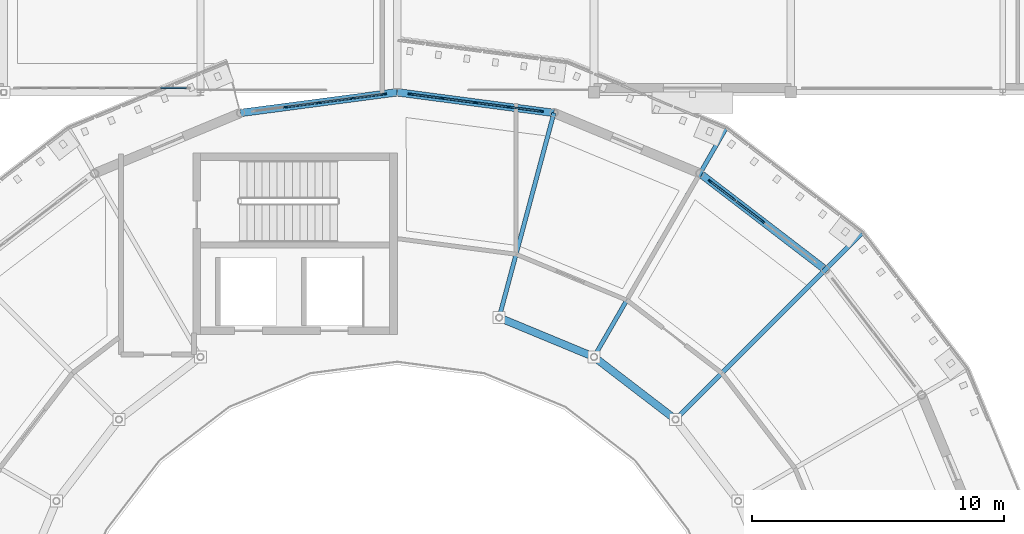
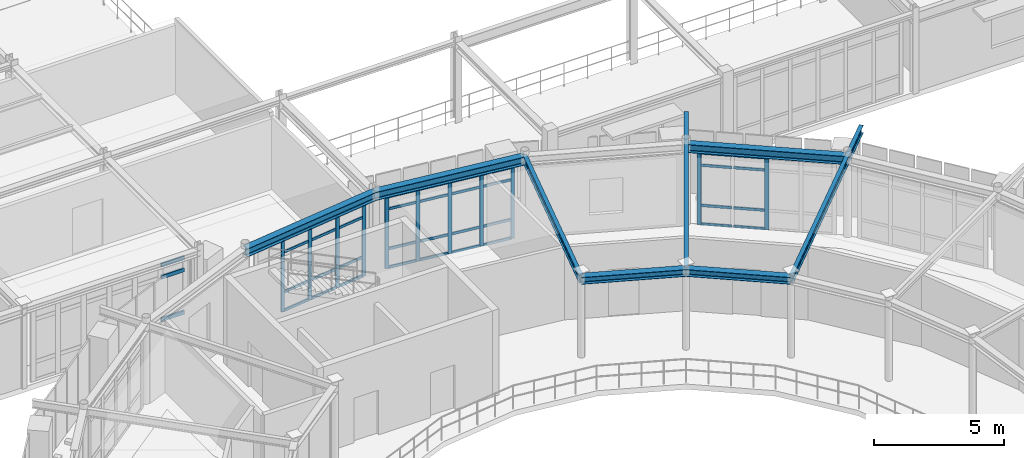
# One storey, part 34 of 70: 50 members, 8 beams, 4 elements without a shape of their own.
"""IFC4 building model written with IfcOpenShell, lengths in metres."""

from ifc_helpers import new_model, si_unit, derived_unit, direction, frame, origin, origin_2d, place, context, subcontext, project, spatial, rectangle, i_section, extrude, material, layer, layer_set, material_profile, profile_set, type_object, element, aggregate, save


model = new_model("IFC4")

# Units and contexts
model_context = context("Model", 3, precision=1e-05, world=origin(), true_north=direction((0.0, 1.0)))
body_context = subcontext(model_context, "Body", "Model", "MODEL_VIEW")
ifc_project = project(units=[si_unit("LENGTHUNIT", "METRE"), si_unit("AREAUNIT", "SQUARE_METRE"), si_unit("VOLUMEUNIT", "CUBIC_METRE"), si_unit("PLANEANGLEUNIT", "RADIAN"), si_unit("MASSUNIT", "GRAM", prefix="KILO"), derived_unit("THERMALTRANSMITTANCEUNIT", [(si_unit("POWERUNIT", "WATT"), 1), (si_unit("AREAUNIT", "SQUARE_METRE"), -1), (si_unit("THERMODYNAMICTEMPERATUREUNIT", "KELVIN"), -1)])], contexts=[model_context])

# Site, building, storey
site_placement = place(None, origin())
site = spatial("IfcSite", under=ifc_project, at=site_placement, CompositionType="ELEMENT")
building_placement = place(site_placement, origin())
building = spatial("IfcBuilding", under=site, at=building_placement, Name="Yasenodar Specialist Clinic", CompositionType="ELEMENT")
storey_placement = place(building_placement, frame((0.0, 0.0, 13.199951171875)))
storey = spatial("IfcBuildingStorey", under=building, at=storey_placement, Name="L03", CompositionType="ELEMENT", Elevation=13.199951171875)

# Beams
ifc_material_1 = material(Name="Steel S355", Category="steel")
ifc_material_profile_1 = material_profile(ifc_material_1, i_section(OverallWidth=0.300048828125, OverallDepth=0.330078125, WebThickness=0.009521484375, FlangeThickness=0.0166015625, FilletRadius=0.027099609375, at=origin_2d()), Name="HEA 340")
ifc_profile_set_1 = profile_set([ifc_material_profile_1], Name="Steel S355")
beam_type_1 = type_object("IfcBeamType", Name="BM-HEA340", PredefinedType="BEAM", material=ifc_profile_set_1)
for number, where, z_axis, x_axis, name in (
    (1, (92.031005859375, 69.830810546875, 3.635009765625), (-0.793347704909, 0.608768773111, 0.0), (-0.608768773111, -0.793347704909, 0.0), "L03 Drum V1 Inner Ring Beam"),
    (2, (88.800048828125, 72.31005859375, 3.635009765625), (-0.92388896868, 0.382660650645, 0.0), (-0.382660650645, -0.92388896868, 0.0), "L03 Drum V1 Inner Ring Beam"),
):
    element("IfcBeam", number, at=place(storey_placement, frame(where, z_axis=z_axis, x_axis=x_axis)), inside=storey, type_object=beam_type_1, Name=name, PredefinedType="BEAM", context=body_context, shape_type="SweptSolid", body=[
        extrude(i_section(OverallWidth=0.300048828125, OverallDepth=0.330078125, WebThickness=0.009521484375, FlangeThickness=0.0166015625, FilletRadius=0.027099609375, at=origin_2d()), origin(), (0.0, 0.0, 1.0), 4.072509765625),
    ])
ifc_material_profile_2 = material_profile(ifc_material_1, i_section(OverallWidth=0.300048828125, OverallDepth=0.389892578125, WebThickness=0.010986328125, FlangeThickness=0.01904296875, FilletRadius=0.027099609375, at=origin_2d()), Name="HEA 400")
ifc_profile_set_2 = profile_set([ifc_material_profile_2], Name="Steel S355")
beam_type_2 = type_object("IfcBeamType", Name="BM-HEA400", PredefinedType="BEAM", material=ifc_profile_set_2)
for number, where, z_axis, x_axis, name in (
    (3, (97.970703125, 75.7705078125, 3.60498046875), (-0.793349152542, 0.608766886551, 0.0), (-0.608766886551, -0.793349152542, 0.0), "L03 Drum V1 Perimeter Ring Beam"),
    (4, (87.211669921875, 81.982177734375, 3.594970703125), (-0.991443018138, 0.130540192224, 0.0), (-0.130540192224, -0.991443018138, 0.0), "L03 Drum V1 Perimeter Ring Beam"),
    (5, (81.0, 82.800048828125, 3.594970703125), (-0.991443018138, -0.130540192224, 0.0), (0.130540192224, -0.991443018138, 0.0), "L03 Drum V1 Perimeter Ring Beam"),
):
    element("IfcBeam", number, at=place(storey_placement, frame(where, z_axis=z_axis, x_axis=x_axis)), inside=storey, type_object=beam_type_2, Name=name, PredefinedType="BEAM", context=body_context, shape_type="SweptSolid", body=[
        extrude(i_section(OverallWidth=0.300048828125, OverallDepth=0.389892578125, WebThickness=0.010986328125, FlangeThickness=0.01904296875, FilletRadius=0.027099609375, at=origin_2d()), origin(), (0.0, 0.0, 1.0), 6.265380859375),
    ])
ifc_material_profile_3 = material_profile(ifc_material_1, i_section(OverallWidth=0.169921875, OverallDepth=0.360107421875, WebThickness=0.008056640625, FlangeThickness=0.0126953125, FilletRadius=0.01806640625, at=origin_2d()), Name="IPE 360")
ifc_profile_set_3 = profile_set([ifc_material_profile_3], Name="Steel S355")
beam_type_3 = type_object("IfcBeamType", Name="BM-IPE360", PredefinedType="BEAM", material=ifc_profile_set_3)
for number, where, z_axis, x_axis, name in (
    (6, (92.031005859375, 69.830810546875, 3.6201171875), (0.707095099746, 0.707118462434, 0.0), (-0.707118462434, 0.707095099746, 0.0), "L03 Drum V1 Radial Back-Spanned Cantilever Beam"),
    (7, (88.800048828125, 72.31005859375, 3.6201171875), (0.499986032603, 0.866033467715, 0.0), (-0.866033467715, 0.499986032603, 0.0), "L03 Drum V1 Radial Back-Spanned Cantilever Beam"),
):
    element("IfcBeam", number, at=place(storey_placement, frame(where, z_axis=z_axis, x_axis=x_axis)), inside=storey, type_object=beam_type_3, Name=name, PredefinedType="BEAM", context=body_context, shape_type="SweptSolid", body=[
        extrude(i_section(OverallWidth=0.169921875, OverallDepth=0.360107421875, WebThickness=0.008056640625, FlangeThickness=0.0126953125, FilletRadius=0.01806640625, at=origin_2d()), origin(), (0.0, 0.0, 1.0), 10.449951171875),
    ])
beam_placement = place(storey_placement, frame((85.03759765625, 73.868408203125, 3.6201171875), z_axis=(0.258818408893, 0.965925996761, 0.0), x_axis=(-0.965925996761, 0.258818408893, 0.0)))
element("IfcBeam", 8, at=beam_placement, inside=storey, type_object=beam_type_3, Name="L03 Drum V1 Radial Beam", PredefinedType="BEAM", context=body_context, shape_type="SweptSolid", body=[
    extrude(i_section(OverallWidth=0.169921875, OverallDepth=0.360107421875, WebThickness=0.008056640625, FlangeThickness=0.0126953125, FilletRadius=0.01806640625, at=origin_2d()), origin(), (0.0, 0.0, 1.0), 8.39990234375),
])

# Curtain wall, members
ifc_material_2 = material(Name="Bronze Anodized Aluminium and Triple Low-E Glass", Category="aluminium")
ifc_layer_1 = layer(ifc_material_2, 0.1669921875)
ifc_layer_set_1 = layer_set([ifc_layer_1], Name="Bronze Anodized Aluminium and Triple Low-E Glass")
curtain_wall_type_1 = type_object("IfcCurtainWallType", Name="CW-SYS-01", PredefinedType="USERDEFINED", material=ifc_layer_set_1)
curtain_wall_1_placement = place(storey_placement, origin())
curtain_wall_1 = element("IfcCurtainWall", 9, at=curtain_wall_1_placement, inside=storey, type_object=curtain_wall_type_1, Name="L03 Unitised Curtain Wall 042", ObjectType="UNITISED CURTAIN WALL", PredefinedType="USERDEFINED")
ifc_material_3 = material(Name="Bronze Anodized Aluminium", Category="aluminium")
ifc_material_profile_4 = material_profile(ifc_material_3, rectangle(XDim=0.06005859375, YDim=0.159912109375, at=origin_2d()), Name="CW-MULL 60x160")
ifc_profile_set_4 = profile_set([ifc_material_profile_4], Name="Bronze Anodized Aluminium")
member_type_1 = type_object("IfcMemberType", Name="CW-MULL-160", PredefinedType="MULLION", material=ifc_profile_set_4)
member_1_placement = place(storey_placement, frame((93.404541015625, 79.274169921875, 0.0), z_axis=(0.0, 0.0, 1.0), x_axis=(0.608752021844, 0.793360558574, 0.0)))
member_1 = element("IfcMember", 10, at=member_1_placement, type_object=member_type_1, Name="CW-01 mullion 1", PredefinedType="MULLION", context=body_context, shape_type="SweptSolid", body=[
    extrude(rectangle(XDim=0.06005859375, YDim=0.159912109375, at=origin_2d()), origin(), (0.0, 0.0, 1.0), 3.387939453125),
])
member_2_placement = place(storey_placement, frame((95.4853515625, 77.677490234375, 0.0), z_axis=(0.0, 0.0, 1.0), x_axis=(0.608752021844, 0.793360558574, 0.0)))
member_2 = element("IfcMember", 11, at=member_2_placement, type_object=member_type_1, Name="CW-01 mullion 3", PredefinedType="MULLION", context=body_context, shape_type="SweptSolid", body=[
    extrude(rectangle(XDim=0.06005859375, YDim=0.159912109375, at=origin_2d()), origin(), (0.0, 0.0, 1.0), 3.387939453125),
])

curtain_wall_2_placement = place(storey_placement, origin())
curtain_wall_2 = element("IfcCurtainWall", 12, at=curtain_wall_2_placement, inside=storey, type_object=curtain_wall_type_1, Name="L03 Unitised Curtain Wall 043", ObjectType="UNITISED CURTAIN WALL", PredefinedType="USERDEFINED")
member_3_placement = place(storey_placement, frame((81.505615234375, 82.7333984375, 0.0), z_axis=(0.0, 0.0, 1.0), x_axis=(0.13051156024, 0.991446787601, 0.0)))
member_3 = element("IfcMember", 13, at=member_3_placement, type_object=member_type_1, Name="CW-01 mullion 1", PredefinedType="MULLION", context=body_context, shape_type="SweptSolid", body=[
    extrude(rectangle(XDim=0.06005859375, YDim=0.159912109375, at=origin_2d()), origin(), (0.0, 0.0, 1.0), 3.3779296875),
])
member_4_placement = place(storey_placement, frame((82.790771484375, 82.564208984375, 0.0), z_axis=(0.0, 0.0, 1.0), x_axis=(0.13051156024, 0.991446787601, 0.0)))
member_4 = element("IfcMember", 14, at=member_4_placement, type_object=member_type_1, Name="CW-01 mullion 2", PredefinedType="MULLION", context=body_context, shape_type="SweptSolid", body=[
    extrude(rectangle(XDim=0.06005859375, YDim=0.159912109375, at=origin_2d()), origin(), (0.0, 0.0, 1.0), 3.3779296875),
])
member_5_placement = place(storey_placement, frame((84.10595703125, 82.39111328125, 0.0), z_axis=(0.0, 0.0, 1.0), x_axis=(0.13051156024, 0.991446787601, 0.0)))
member_5 = element("IfcMember", 15, at=member_5_placement, type_object=member_type_1, Name="CW-01 mullion 3", PredefinedType="MULLION", context=body_context, shape_type="SweptSolid", body=[
    extrude(rectangle(XDim=0.06005859375, YDim=0.159912109375, at=origin_2d()), origin(), (0.0, 0.0, 1.0), 3.3779296875),
])
member_6_placement = place(storey_placement, frame((85.4208984375, 82.218017578125, 0.0), z_axis=(0.0, 0.0, 1.0), x_axis=(0.13051156024, 0.991446787601, 0.0)))
member_6 = element("IfcMember", 16, at=member_6_placement, type_object=member_type_1, Name="CW-01 mullion 4", PredefinedType="MULLION", context=body_context, shape_type="SweptSolid", body=[
    extrude(rectangle(XDim=0.06005859375, YDim=0.159912109375, at=origin_2d()), origin(), (0.0, 0.0, 1.0), 3.3779296875),
])
member_7_placement = place(storey_placement, frame((86.7060546875, 82.048828125, 0.0), z_axis=(0.0, 0.0, 1.0), x_axis=(0.13051156024, 0.991446787601, 0.0)))
member_7 = element("IfcMember", 17, at=member_7_placement, type_object=member_type_1, Name="CW-01 mullion 5", PredefinedType="MULLION", context=body_context, shape_type="SweptSolid", body=[
    extrude(rectangle(XDim=0.06005859375, YDim=0.159912109375, at=origin_2d()), origin(), (0.0, 0.0, 1.0), 3.3779296875),
])

curtain_wall_3_placement = place(storey_placement, origin())
curtain_wall_3 = element("IfcCurtainWall", 18, at=curtain_wall_3_placement, inside=storey, type_object=curtain_wall_type_1, Name="L03 Unitised Curtain Wall 044", ObjectType="UNITISED CURTAIN WALL", PredefinedType="USERDEFINED")
member_8_placement = place(storey_placement, frame((76.5791015625, 82.218017578125, 0.0), z_axis=(0.0, 0.0, 1.0), x_axis=(-0.13051156024, 0.991446787601, 0.0)))
member_8 = element("IfcMember", 19, at=member_8_placement, type_object=member_type_1, Name="CW-01 mullion 2", PredefinedType="MULLION", context=body_context, shape_type="SweptSolid", body=[
    extrude(rectangle(XDim=0.06005859375, YDim=0.159912109375, at=origin_2d()), origin(), (0.0, 0.0, 1.0), 3.3779296875),
])
member_9_placement = place(storey_placement, frame((77.89404296875, 82.39111328125, 0.0), z_axis=(0.0, 0.0, 1.0), x_axis=(-0.13051156024, 0.991446787601, 0.0)))
member_9 = element("IfcMember", 20, at=member_9_placement, type_object=member_type_1, Name="CW-01 mullion 3", PredefinedType="MULLION", context=body_context, shape_type="SweptSolid", body=[
    extrude(rectangle(XDim=0.06005859375, YDim=0.159912109375, at=origin_2d()), origin(), (0.0, 0.0, 1.0), 3.3779296875),
])
member_10_placement = place(storey_placement, frame((79.209228515625, 82.564208984375, 0.0), z_axis=(0.0, 0.0, 1.0), x_axis=(-0.13051156024, 0.991446787601, 0.0)))
member_10 = element("IfcMember", 21, at=member_10_placement, type_object=member_type_1, Name="CW-01 mullion 4", PredefinedType="MULLION", context=body_context, shape_type="SweptSolid", body=[
    extrude(rectangle(XDim=0.06005859375, YDim=0.159912109375, at=origin_2d()), origin(), (0.0, 0.0, 1.0), 3.3779296875),
])
member_11_placement = place(storey_placement, frame((80.494384765625, 82.7333984375, 0.0), z_axis=(0.0, 0.0, 1.0), x_axis=(-0.13051156024, 0.991446787601, 0.0)))
member_11 = element("IfcMember", 22, at=member_11_placement, type_object=member_type_1, Name="CW-01 mullion 5", PredefinedType="MULLION", context=body_context, shape_type="SweptSolid", body=[
    extrude(rectangle(XDim=0.06005859375, YDim=0.159912109375, at=origin_2d()), origin(), (0.0, 0.0, 1.0), 3.3779296875),
])

# Member
ifc_material_profile_5 = material_profile(ifc_material_3, rectangle(XDim=0.06005859375, YDim=0.1201171875, at=origin_2d()), Name="CW-TRAN 60x120")
ifc_profile_set_5 = profile_set([ifc_material_profile_5], Name="Bronze Anodized Aluminium")
member_type_2 = type_object("IfcMemberType", Name="CW-TRAN-120", PredefinedType="USERDEFINED", material=ifc_profile_set_5)
member_12_placement = place(storey_placement, frame((93.428466796875, 79.255859375, 0.030029296875), z_axis=(0.793291580461, -0.608841907534, 0.0), x_axis=(0.608841907534, 0.793291580461, 0.0)))
member_12 = element("IfcMember", 23, at=member_12_placement, type_object=member_type_2, Name="CW-01 transom 1.1", ObjectType="TRANSOM", PredefinedType="USERDEFINED", context=body_context, shape_type="SweptSolid", body=[
    extrude(rectangle(XDim=0.06005859375, YDim=0.1201171875, at=origin_2d()), origin(), (0.0, 0.0, 1.0), 1.236328125),
])

member_13_placement = place(storey_placement, frame((93.428466796875, 79.255859375, 0.900146484375), z_axis=(0.793291580461, -0.608841907534, 0.0), x_axis=(0.608841907534, 0.793291580461, 0.0)))
member_13 = element("IfcMember", 24, at=member_13_placement, type_object=member_type_2, Name="CW-01 transom 1.2", ObjectType="TRANSOM", PredefinedType="USERDEFINED", context=body_context, shape_type="SweptSolid", body=[
    extrude(rectangle(XDim=0.06005859375, YDim=0.1201171875, at=origin_2d()), origin(), (0.0, 0.0, 1.0), 1.236328125),
])

member_14_placement = place(storey_placement, frame((93.428466796875, 79.255859375, 2.7880859375), z_axis=(0.793291580461, -0.608841907534, 0.0), x_axis=(0.608841907534, 0.793291580461, 0.0)))
member_14 = element("IfcMember", 25, at=member_14_placement, type_object=member_type_2, Name="CW-01 transom 1.3", ObjectType="TRANSOM", PredefinedType="USERDEFINED", context=body_context, shape_type="SweptSolid", body=[
    extrude(rectangle(XDim=0.06005859375, YDim=0.1201171875, at=origin_2d()), origin(), (0.0, 0.0, 1.0), 1.236328125),
])

member_15_placement = place(storey_placement, frame((93.428466796875, 79.255859375, 3.358154296875), z_axis=(0.793291580461, -0.608841907534, 0.0), x_axis=(0.608841907534, 0.793291580461, 0.0)))
member_15 = element("IfcMember", 26, at=member_15_placement, type_object=member_type_2, Name="CW-01 transom 1.4", ObjectType="TRANSOM", PredefinedType="USERDEFINED", context=body_context, shape_type="SweptSolid", body=[
    extrude(rectangle(XDim=0.06005859375, YDim=0.1201171875, at=origin_2d()), origin(), (0.0, 0.0, 1.0), 1.236328125),
])

member_16_placement = place(storey_placement, frame((94.456787109375, 78.466796875, 0.030029296875), z_axis=(0.793311491475, -0.608815963567, 0.0), x_axis=(0.608815963567, 0.793311491475, 0.0)))
member_16 = element("IfcMember", 27, at=member_16_placement, type_object=member_type_2, Name="CW-01 transom 2.1", ObjectType="TRANSOM", PredefinedType="USERDEFINED", context=body_context, shape_type="SweptSolid", body=[
    extrude(rectangle(XDim=0.06005859375, YDim=0.1201171875, at=origin_2d()), origin(), (0.0, 0.0, 1.0), 1.266357421875),
])

member_17_placement = place(storey_placement, frame((94.456787109375, 78.466796875, 0.900146484375), z_axis=(0.793311491475, -0.608815963567, 0.0), x_axis=(0.608815963567, 0.793311491475, 0.0)))
member_17 = element("IfcMember", 28, at=member_17_placement, type_object=member_type_2, Name="CW-01 transom 2.2", ObjectType="TRANSOM", PredefinedType="USERDEFINED", context=body_context, shape_type="SweptSolid", body=[
    extrude(rectangle(XDim=0.06005859375, YDim=0.1201171875, at=origin_2d()), origin(), (0.0, 0.0, 1.0), 1.266357421875),
])

member_18_placement = place(storey_placement, frame((94.456787109375, 78.466796875, 2.7880859375), z_axis=(0.793311491475, -0.608815963567, 0.0), x_axis=(0.608815963567, 0.793311491475, 0.0)))
member_18 = element("IfcMember", 29, at=member_18_placement, type_object=member_type_2, Name="CW-01 transom 2.3", ObjectType="TRANSOM", PredefinedType="USERDEFINED", context=body_context, shape_type="SweptSolid", body=[
    extrude(rectangle(XDim=0.06005859375, YDim=0.1201171875, at=origin_2d()), origin(), (0.0, 0.0, 1.0), 1.266357421875),
])

member_19_placement = place(storey_placement, frame((94.456787109375, 78.466796875, 3.358154296875), z_axis=(0.793311491475, -0.608815963567, 0.0), x_axis=(0.608815963567, 0.793311491475, 0.0)))
member_19 = element("IfcMember", 30, at=member_19_placement, type_object=member_type_2, Name="CW-01 transom 2.4", ObjectType="TRANSOM", PredefinedType="USERDEFINED", context=body_context, shape_type="SweptSolid", body=[
    extrude(rectangle(XDim=0.06005859375, YDim=0.1201171875, at=origin_2d()), origin(), (0.0, 0.0, 1.0), 1.266357421875),
])

aggregate(curtain_wall_1, [member_1, member_2, member_12, member_13, member_14, member_15, member_16, member_17, member_18, member_19])

member_20_placement = place(storey_placement, frame((81.535400390625, 82.7294921875, 0.030029296875), z_axis=(0.99144555616, -0.130520914683, 0.0), x_axis=(0.130520914683, 0.99144555616, 0.0)))
member_20 = element("IfcMember", 31, at=member_20_placement, type_object=member_type_2, Name="CW-01 transom 1.1", ObjectType="TRANSOM", PredefinedType="USERDEFINED", context=body_context, shape_type="SweptSolid", body=[
    extrude(rectangle(XDim=0.06005859375, YDim=0.1201171875, at=origin_2d()), origin(), (0.0, 0.0, 1.0), 1.236328125),
])

member_21_placement = place(storey_placement, frame((81.535400390625, 82.7294921875, 0.900146484375), z_axis=(0.99144555616, -0.130520914683, 0.0), x_axis=(0.130520914683, 0.99144555616, 0.0)))
member_21 = element("IfcMember", 32, at=member_21_placement, type_object=member_type_2, Name="CW-01 transom 1.2", ObjectType="TRANSOM", PredefinedType="USERDEFINED", context=body_context, shape_type="SweptSolid", body=[
    extrude(rectangle(XDim=0.06005859375, YDim=0.1201171875, at=origin_2d()), origin(), (0.0, 0.0, 1.0), 1.236328125),
])

member_22_placement = place(storey_placement, frame((81.535400390625, 82.7294921875, 2.778076171875), z_axis=(0.99144555616, -0.130520914683, 0.0), x_axis=(0.130520914683, 0.99144555616, 0.0)))
member_22 = element("IfcMember", 33, at=member_22_placement, type_object=member_type_2, Name="CW-01 transom 1.3", ObjectType="TRANSOM", PredefinedType="USERDEFINED", context=body_context, shape_type="SweptSolid", body=[
    extrude(rectangle(XDim=0.06005859375, YDim=0.1201171875, at=origin_2d()), origin(), (0.0, 0.0, 1.0), 1.236328125),
])

member_23_placement = place(storey_placement, frame((81.535400390625, 82.7294921875, 3.34814453125), z_axis=(0.99144555616, -0.130520914683, 0.0), x_axis=(0.130520914683, 0.99144555616, 0.0)))
member_23 = element("IfcMember", 34, at=member_23_placement, type_object=member_type_2, Name="CW-01 transom 1.4", ObjectType="TRANSOM", PredefinedType="USERDEFINED", context=body_context, shape_type="SweptSolid", body=[
    extrude(rectangle(XDim=0.06005859375, YDim=0.1201171875, at=origin_2d()), origin(), (0.0, 0.0, 1.0), 1.236328125),
])

member_24_placement = place(storey_placement, frame((82.820556640625, 82.560302734375, 0.030029296875), z_axis=(0.991447076407, -0.13050936627, 0.0), x_axis=(0.13050936627, 0.991447076407, 0.0)))
member_24 = element("IfcMember", 35, at=member_24_placement, type_object=member_type_2, Name="CW-01 transom 2.1", ObjectType="TRANSOM", PredefinedType="USERDEFINED", context=body_context, shape_type="SweptSolid", body=[
    extrude(rectangle(XDim=0.06005859375, YDim=0.1201171875, at=origin_2d()), origin(), (0.0, 0.0, 1.0), 1.266357421875),
])

member_25_placement = place(storey_placement, frame((82.820556640625, 82.560302734375, 0.900146484375), z_axis=(0.991447076407, -0.13050936627, 0.0), x_axis=(0.13050936627, 0.991447076407, 0.0)))
member_25 = element("IfcMember", 36, at=member_25_placement, type_object=member_type_2, Name="CW-01 transom 2.2", ObjectType="TRANSOM", PredefinedType="USERDEFINED", context=body_context, shape_type="SweptSolid", body=[
    extrude(rectangle(XDim=0.06005859375, YDim=0.1201171875, at=origin_2d()), origin(), (0.0, 0.0, 1.0), 1.266357421875),
])

member_26_placement = place(storey_placement, frame((82.820556640625, 82.560302734375, 2.778076171875), z_axis=(0.991447076407, -0.13050936627, 0.0), x_axis=(0.13050936627, 0.991447076407, 0.0)))
member_26 = element("IfcMember", 37, at=member_26_placement, type_object=member_type_2, Name="CW-01 transom 2.3", ObjectType="TRANSOM", PredefinedType="USERDEFINED", context=body_context, shape_type="SweptSolid", body=[
    extrude(rectangle(XDim=0.06005859375, YDim=0.1201171875, at=origin_2d()), origin(), (0.0, 0.0, 1.0), 1.266357421875),
])

member_27_placement = place(storey_placement, frame((82.820556640625, 82.560302734375, 3.34814453125), z_axis=(0.991447076407, -0.13050936627, 0.0), x_axis=(0.13050936627, 0.991447076407, 0.0)))
member_27 = element("IfcMember", 38, at=member_27_placement, type_object=member_type_2, Name="CW-01 transom 2.4", ObjectType="TRANSOM", PredefinedType="USERDEFINED", context=body_context, shape_type="SweptSolid", body=[
    extrude(rectangle(XDim=0.06005859375, YDim=0.1201171875, at=origin_2d()), origin(), (0.0, 0.0, 1.0), 1.266357421875),
])

member_28_placement = place(storey_placement, frame((84.135498046875, 82.38720703125, 0.030029296875), z_axis=(0.991447076407, -0.13050936627, 0.0), x_axis=(0.13050936627, 0.991447076407, 0.0)))
member_28 = element("IfcMember", 39, at=member_28_placement, type_object=member_type_2, Name="CW-01 transom 3.1", ObjectType="TRANSOM", PredefinedType="USERDEFINED", context=body_context, shape_type="SweptSolid", body=[
    extrude(rectangle(XDim=0.06005859375, YDim=0.1201171875, at=origin_2d()), origin(), (0.0, 0.0, 1.0), 1.266357421875),
])

member_29_placement = place(storey_placement, frame((84.135498046875, 82.38720703125, 0.900146484375), z_axis=(0.991447076407, -0.13050936627, 0.0), x_axis=(0.13050936627, 0.991447076407, 0.0)))
member_29 = element("IfcMember", 40, at=member_29_placement, type_object=member_type_2, Name="CW-01 transom 3.2", ObjectType="TRANSOM", PredefinedType="USERDEFINED", context=body_context, shape_type="SweptSolid", body=[
    extrude(rectangle(XDim=0.06005859375, YDim=0.1201171875, at=origin_2d()), origin(), (0.0, 0.0, 1.0), 1.266357421875),
])

member_30_placement = place(storey_placement, frame((84.135498046875, 82.38720703125, 2.778076171875), z_axis=(0.991447076407, -0.13050936627, 0.0), x_axis=(0.13050936627, 0.991447076407, 0.0)))
member_30 = element("IfcMember", 41, at=member_30_placement, type_object=member_type_2, Name="CW-01 transom 3.3", ObjectType="TRANSOM", PredefinedType="USERDEFINED", context=body_context, shape_type="SweptSolid", body=[
    extrude(rectangle(XDim=0.06005859375, YDim=0.1201171875, at=origin_2d()), origin(), (0.0, 0.0, 1.0), 1.266357421875),
])

member_31_placement = place(storey_placement, frame((84.135498046875, 82.38720703125, 3.34814453125), z_axis=(0.991447076407, -0.13050936627, 0.0), x_axis=(0.13050936627, 0.991447076407, 0.0)))
member_31 = element("IfcMember", 42, at=member_31_placement, type_object=member_type_2, Name="CW-01 transom 3.4", ObjectType="TRANSOM", PredefinedType="USERDEFINED", context=body_context, shape_type="SweptSolid", body=[
    extrude(rectangle(XDim=0.06005859375, YDim=0.1201171875, at=origin_2d()), origin(), (0.0, 0.0, 1.0), 1.266357421875),
])

member_32_placement = place(storey_placement, frame((85.45068359375, 82.214111328125, 0.030029296875), z_axis=(0.991442191305, -0.130546471803, 0.0), x_axis=(0.130546471803, 0.991442191305, 0.0)))
member_32 = element("IfcMember", 43, at=member_32_placement, type_object=member_type_2, Name="CW-01 transom 4.1", ObjectType="TRANSOM", PredefinedType="USERDEFINED", context=body_context, shape_type="SweptSolid", body=[
    extrude(rectangle(XDim=0.06005859375, YDim=0.1201171875, at=origin_2d()), origin(), (0.0, 0.0, 1.0), 1.236083984375),
])

member_33_placement = place(storey_placement, frame((85.45068359375, 82.214111328125, 0.900146484375), z_axis=(0.991442191305, -0.130546471803, 0.0), x_axis=(0.130546471803, 0.991442191305, 0.0)))
member_33 = element("IfcMember", 44, at=member_33_placement, type_object=member_type_2, Name="CW-01 transom 4.2", ObjectType="TRANSOM", PredefinedType="USERDEFINED", context=body_context, shape_type="SweptSolid", body=[
    extrude(rectangle(XDim=0.06005859375, YDim=0.1201171875, at=origin_2d()), origin(), (0.0, 0.0, 1.0), 1.236083984375),
])

member_34_placement = place(storey_placement, frame((85.45068359375, 82.214111328125, 2.778076171875), z_axis=(0.991442191305, -0.130546471803, 0.0), x_axis=(0.130546471803, 0.991442191305, 0.0)))
member_34 = element("IfcMember", 45, at=member_34_placement, type_object=member_type_2, Name="CW-01 transom 4.3", ObjectType="TRANSOM", PredefinedType="USERDEFINED", context=body_context, shape_type="SweptSolid", body=[
    extrude(rectangle(XDim=0.06005859375, YDim=0.1201171875, at=origin_2d()), origin(), (0.0, 0.0, 1.0), 1.236083984375),
])

member_35_placement = place(storey_placement, frame((85.45068359375, 82.214111328125, 3.34814453125), z_axis=(0.991442191305, -0.130546471803, 0.0), x_axis=(0.130546471803, 0.991442191305, 0.0)))
member_35 = element("IfcMember", 46, at=member_35_placement, type_object=member_type_2, Name="CW-01 transom 4.4", ObjectType="TRANSOM", PredefinedType="USERDEFINED", context=body_context, shape_type="SweptSolid", body=[
    extrude(rectangle(XDim=0.06005859375, YDim=0.1201171875, at=origin_2d()), origin(), (0.0, 0.0, 1.0), 1.236083984375),
])

aggregate(curtain_wall_2, [member_3, member_4, member_5, member_6, member_7, member_20, member_21, member_22, member_23, member_24, member_25, member_26, member_27, member_28, member_29, member_30, member_31, member_32, member_33, member_34, member_35])

member_36_placement = place(storey_placement, frame((76.60888671875, 82.221923828125, 0.030029296875), z_axis=(0.991447076407, 0.13050936627, 0.0), x_axis=(-0.13050936627, 0.991447076407, 0.0)))
member_36 = element("IfcMember", 47, at=member_36_placement, type_object=member_type_2, Name="CW-01 transom 2.1", ObjectType="TRANSOM", PredefinedType="USERDEFINED", context=body_context, shape_type="SweptSolid", body=[
    extrude(rectangle(XDim=0.06005859375, YDim=0.1201171875, at=origin_2d()), origin(), (0.0, 0.0, 1.0), 1.266357421875),
])

member_37_placement = place(storey_placement, frame((76.60888671875, 82.221923828125, 0.900146484375), z_axis=(0.991447076407, 0.13050936627, 0.0), x_axis=(-0.13050936627, 0.991447076407, 0.0)))
member_37 = element("IfcMember", 48, at=member_37_placement, type_object=member_type_2, Name="CW-01 transom 2.2", ObjectType="TRANSOM", PredefinedType="USERDEFINED", context=body_context, shape_type="SweptSolid", body=[
    extrude(rectangle(XDim=0.06005859375, YDim=0.1201171875, at=origin_2d()), origin(), (0.0, 0.0, 1.0), 1.266357421875),
])

member_38_placement = place(storey_placement, frame((76.60888671875, 82.221923828125, 2.778076171875), z_axis=(0.991447076407, 0.13050936627, 0.0), x_axis=(-0.13050936627, 0.991447076407, 0.0)))
member_38 = element("IfcMember", 49, at=member_38_placement, type_object=member_type_2, Name="CW-01 transom 2.3", ObjectType="TRANSOM", PredefinedType="USERDEFINED", context=body_context, shape_type="SweptSolid", body=[
    extrude(rectangle(XDim=0.06005859375, YDim=0.1201171875, at=origin_2d()), origin(), (0.0, 0.0, 1.0), 1.266357421875),
])

member_39_placement = place(storey_placement, frame((76.60888671875, 82.221923828125, 3.34814453125), z_axis=(0.991447076407, 0.13050936627, 0.0), x_axis=(-0.13050936627, 0.991447076407, 0.0)))
member_39 = element("IfcMember", 50, at=member_39_placement, type_object=member_type_2, Name="CW-01 transom 2.4", ObjectType="TRANSOM", PredefinedType="USERDEFINED", context=body_context, shape_type="SweptSolid", body=[
    extrude(rectangle(XDim=0.06005859375, YDim=0.1201171875, at=origin_2d()), origin(), (0.0, 0.0, 1.0), 1.266357421875),
])

member_40_placement = place(storey_placement, frame((77.923828125, 82.39501953125, 0.030029296875), z_axis=(0.991447076407, 0.13050936627, 0.0), x_axis=(-0.13050936627, 0.991447076407, 0.0)))
member_40 = element("IfcMember", 51, at=member_40_placement, type_object=member_type_2, Name="CW-01 transom 3.1", ObjectType="TRANSOM", PredefinedType="USERDEFINED", context=body_context, shape_type="SweptSolid", body=[
    extrude(rectangle(XDim=0.06005859375, YDim=0.1201171875, at=origin_2d()), origin(), (0.0, 0.0, 1.0), 1.266357421875),
])

member_41_placement = place(storey_placement, frame((77.923828125, 82.39501953125, 0.900146484375), z_axis=(0.991447076407, 0.13050936627, 0.0), x_axis=(-0.13050936627, 0.991447076407, 0.0)))
member_41 = element("IfcMember", 52, at=member_41_placement, type_object=member_type_2, Name="CW-01 transom 3.2", ObjectType="TRANSOM", PredefinedType="USERDEFINED", context=body_context, shape_type="SweptSolid", body=[
    extrude(rectangle(XDim=0.06005859375, YDim=0.1201171875, at=origin_2d()), origin(), (0.0, 0.0, 1.0), 1.266357421875),
])

member_42_placement = place(storey_placement, frame((77.923828125, 82.39501953125, 2.778076171875), z_axis=(0.991447076407, 0.13050936627, 0.0), x_axis=(-0.13050936627, 0.991447076407, 0.0)))
member_42 = element("IfcMember", 53, at=member_42_placement, type_object=member_type_2, Name="CW-01 transom 3.3", ObjectType="TRANSOM", PredefinedType="USERDEFINED", context=body_context, shape_type="SweptSolid", body=[
    extrude(rectangle(XDim=0.06005859375, YDim=0.1201171875, at=origin_2d()), origin(), (0.0, 0.0, 1.0), 1.266357421875),
])

member_43_placement = place(storey_placement, frame((77.923828125, 82.39501953125, 3.34814453125), z_axis=(0.991447076407, 0.13050936627, 0.0), x_axis=(-0.13050936627, 0.991447076407, 0.0)))
member_43 = element("IfcMember", 54, at=member_43_placement, type_object=member_type_2, Name="CW-01 transom 3.4", ObjectType="TRANSOM", PredefinedType="USERDEFINED", context=body_context, shape_type="SweptSolid", body=[
    extrude(rectangle(XDim=0.06005859375, YDim=0.1201171875, at=origin_2d()), origin(), (0.0, 0.0, 1.0), 1.266357421875),
])

member_44_placement = place(storey_placement, frame((79.23876953125, 82.568115234375, 0.030029296875), z_axis=(0.99144555616, 0.130520914683, 0.0), x_axis=(-0.130520914683, 0.99144555616, 0.0)))
member_44 = element("IfcMember", 55, at=member_44_placement, type_object=member_type_2, Name="CW-01 transom 4.1", ObjectType="TRANSOM", PredefinedType="USERDEFINED", context=body_context, shape_type="SweptSolid", body=[
    extrude(rectangle(XDim=0.06005859375, YDim=0.1201171875, at=origin_2d()), origin(), (0.0, 0.0, 1.0), 1.236328125),
])

member_45_placement = place(storey_placement, frame((79.23876953125, 82.568115234375, 0.900146484375), z_axis=(0.99144555616, 0.130520914683, 0.0), x_axis=(-0.130520914683, 0.99144555616, 0.0)))
member_45 = element("IfcMember", 56, at=member_45_placement, type_object=member_type_2, Name="CW-01 transom 4.2", ObjectType="TRANSOM", PredefinedType="USERDEFINED", context=body_context, shape_type="SweptSolid", body=[
    extrude(rectangle(XDim=0.06005859375, YDim=0.1201171875, at=origin_2d()), origin(), (0.0, 0.0, 1.0), 1.236328125),
])

member_46_placement = place(storey_placement, frame((79.23876953125, 82.568115234375, 2.778076171875), z_axis=(0.99144555616, 0.130520914683, 0.0), x_axis=(-0.130520914683, 0.99144555616, 0.0)))
member_46 = element("IfcMember", 57, at=member_46_placement, type_object=member_type_2, Name="CW-01 transom 4.3", ObjectType="TRANSOM", PredefinedType="USERDEFINED", context=body_context, shape_type="SweptSolid", body=[
    extrude(rectangle(XDim=0.06005859375, YDim=0.1201171875, at=origin_2d()), origin(), (0.0, 0.0, 1.0), 1.236328125),
])

member_47_placement = place(storey_placement, frame((79.23876953125, 82.568115234375, 3.34814453125), z_axis=(0.99144555616, 0.130520914683, 0.0), x_axis=(-0.130520914683, 0.99144555616, 0.0)))
member_47 = element("IfcMember", 58, at=member_47_placement, type_object=member_type_2, Name="CW-01 transom 4.4", ObjectType="TRANSOM", PredefinedType="USERDEFINED", context=body_context, shape_type="SweptSolid", body=[
    extrude(rectangle(XDim=0.06005859375, YDim=0.1201171875, at=origin_2d()), origin(), (0.0, 0.0, 1.0), 1.236328125),
])

aggregate(curtain_wall_3, [member_8, member_9, member_10, member_11, member_36, member_37, member_38, member_39, member_40, member_41, member_42, member_43, member_44, member_45, member_46, member_47])

# Curtain wall, members
ifc_layer_2 = layer(ifc_material_2, 0.215087890625)
ifc_layer_set_2 = layer_set([ifc_layer_2], Name="Bronze Anodized Aluminium and Triple Low-E Glass")
curtain_wall_type_2 = type_object("IfcCurtainWallType", Name="CW-SYS-05", PredefinedType="USERDEFINED", material=ifc_layer_set_2)
curtain_wall_4_placement = place(storey_placement, origin())
curtain_wall_4 = element("IfcCurtainWall", 59, at=curtain_wall_4_placement, inside=storey, type_object=curtain_wall_type_2, Name="L03 Unitised Curtain Wall 160", ObjectType="UNITISED CURTAIN WALL", PredefinedType="USERDEFINED")
ifc_material_profile_6 = material_profile(ifc_material_3, rectangle(XDim=0.074951171875, YDim=0.175048828125, at=origin_2d()), Name="CW-TRAN 75x175")
ifc_profile_set_6 = profile_set([ifc_material_profile_6], Name="Bronze Anodized Aluminium")
member_type_3 = type_object("IfcMemberType", Name="CW-TRAN-175", PredefinedType="USERDEFINED", material=ifc_profile_set_6)
member_48_placement = place(storey_placement, frame((72.64501953125, 82.969970703125, 0.900146484375), z_axis=(-1.0, 0.0, 0.0), x_axis=(0.0, -1.0, 0.0)))
member_48 = element("IfcMember", 60, at=member_48_placement, type_object=member_type_3, Name="CW-05 transom 1.2", ObjectType="TRANSOM", PredefinedType="USERDEFINED", context=body_context, shape_type="SweptSolid", body=[
    extrude(rectangle(XDim=0.074951171875, YDim=0.175048828125, at=origin_2d()), origin(), (0.0, 0.0, 1.0), 1.027587890625),
])
member_49_placement = place(storey_placement, frame((72.64501953125, 82.969970703125, 2.89794921875), z_axis=(-1.0, 0.0, 0.0), x_axis=(0.0, -1.0, 0.0)))
member_49 = element("IfcMember", 61, at=member_49_placement, type_object=member_type_3, Name="CW-05 transom 1.3", ObjectType="TRANSOM", PredefinedType="USERDEFINED", context=body_context, shape_type="SweptSolid", body=[
    extrude(rectangle(XDim=0.074951171875, YDim=0.175048828125, at=origin_2d()), origin(), (0.0, 0.0, 1.0), 1.027587890625),
])
member_50_placement = place(storey_placement, frame((72.64501953125, 82.969970703125, 3.46044921875), z_axis=(-1.0, 0.0, 0.0), x_axis=(0.0, -1.0, 0.0)))
member_50 = element("IfcMember", 62, at=member_50_placement, type_object=member_type_3, Name="CW-05 transom 1.4", ObjectType="TRANSOM", PredefinedType="USERDEFINED", context=body_context, shape_type="SweptSolid", body=[
    extrude(rectangle(XDim=0.074951171875, YDim=0.175048828125, at=origin_2d()), origin(), (0.0, 0.0, 1.0), 1.027587890625),
])
aggregate(curtain_wall_4, [member_48, member_49, member_50])

save(model, "model.ifc")
